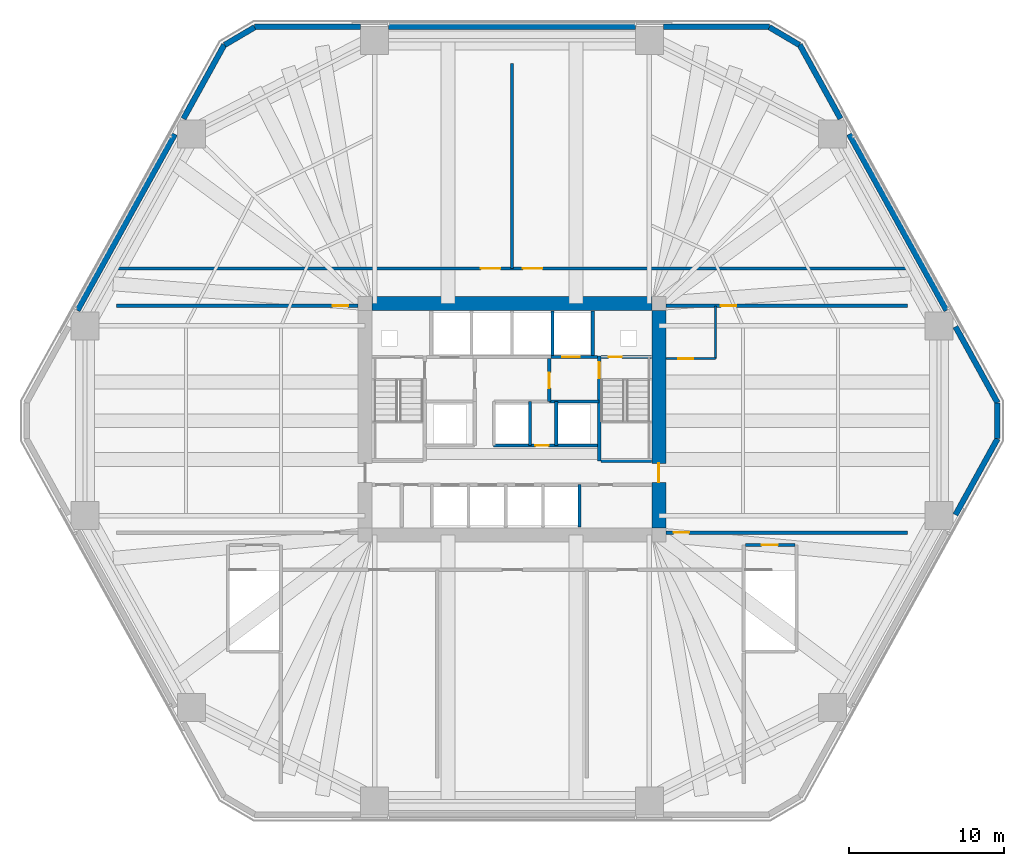
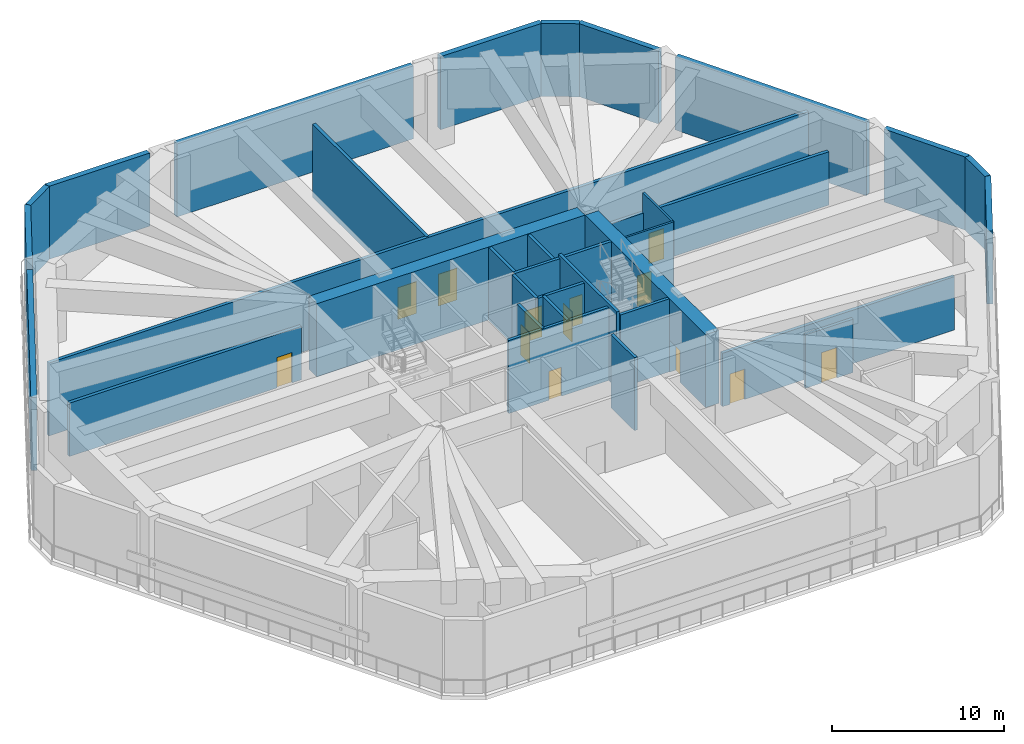
# One storey, part 4 of 12: 34 walls, 13 doors, 13 openings.
"""IFC4 building model written with IfcOpenShell, lengths in metres."""

from ifc_helpers import new_model, si_unit, direction, frame, frame_2d, origin, place, context, subcontext, project, spatial, rectangle, extrude, material, layer, layer_set, type_object, element, fill, save


model = new_model("IFC4")

# Units and contexts
model_context = context("Model", 3, precision=1e-05, world=origin(), true_north=direction((0.0, 1.0)))
body_context = subcontext(model_context, "Body", "Model", "MODEL_VIEW")
ifc_project = project(units=[si_unit("LENGTHUNIT", "METRE"), si_unit("AREAUNIT", "SQUARE_METRE"), si_unit("VOLUMEUNIT", "CUBIC_METRE"), si_unit("PLANEANGLEUNIT", "RADIAN"), si_unit("MASSUNIT", "GRAM", prefix="KILO")], contexts=[model_context])

# Site, building, storey
site_placement = place(None, origin())
site = spatial("IfcSite", under=ifc_project, at=site_placement, CompositionType="ELEMENT")
building_placement = place(site_placement, origin())
building = spatial("IfcBuilding", under=site, at=building_placement, Name="Cinnabar Lancet Tower", CompositionType="ELEMENT")
storey_placement = place(building_placement, frame((0.0, 0.0, 19.5)))
storey = spatial("IfcBuildingStorey", under=building, at=storey_placement, Name="L04", CompositionType="ELEMENT", Elevation=19.5)

# Wall, opening, door
ifc_material_1 = material(Name="Acoustic masonry plant room wall", Category="masonry")
ifc_layer_1 = layer(ifc_material_1, 0.219970703125)
ifc_layer_set_1 = layer_set([ifc_layer_1], Name="Acoustic masonry plant room wall")
wall_type_1 = type_object("IfcWallType", Name="ARC-WL-PLANT-220", PredefinedType="PARTITIONING", material=ifc_layer_set_1)
wall_1_placement = place(storey_placement, frame((6.925048828125, 33.199951171875, 0.0), z_axis=(0.0, 0.0, 1.0), x_axis=(1.0, 0.0, 0.0)))
wall_1 = element("IfcWall", 1, at=wall_1_placement, inside=storey, type_object=wall_type_1, Name="PW-L04-RFWN", PredefinedType="PARTITIONING", context=body_context, shape_type="SweptSolid", body=[
    extrude(rectangle(XDim=15.574951171875, YDim=0.219970703125, at=frame_2d((7.78759765625, 0.0))), origin(), (0.0, 0.0, 1.0), 3.7900390625),
])
opening_1_placement = place(wall_1_placement, frame((13.925048828125, 0.0, 0.0)))
opening_1 = element("IfcOpeningElement", 2, at=opening_1_placement, cuts=wall_1, Name="Opening FD-01", PredefinedType="OPENING", context=body_context, shape_type="SweptSolid", body=[
    extrude(rectangle(XDim=1.0, YDim=2.14990234375, at=frame_2d((0.5, 1.074951171875))), frame((0.0, 0.119873046875, 0.0), z_axis=(0.0, -1.0, 0.0), x_axis=(1.0, 0.0, 0.0)), (0.0, 0.0, 1.0), 0.239990234375),
])
ifc_material_2 = material(Name="Fire-rated timber-core lobby door", Category="wood")
door_type_1 = type_object("IfcDoorType", Name="ARC-DR-FFAL", OperationType="NOTDEFINED", PredefinedType="DOOR", material=ifc_material_2)
door_1_placement = place(opening_1_placement, origin())
door_1 = element("IfcDoor", 3, at=door_1_placement, inside=storey, type_object=door_type_1, Name="L04 Plant Corridor Fire Door RWN", OperationType="SINGLE_SWING_LEFT", OverallHeight=2.14990234375, OverallWidth=1.0, PredefinedType="DOOR", context=body_context, shape_type="SweptSolid", body=[
    extrude(rectangle(XDim=1.0, YDim=2.14990234375, at=frame_2d((0.5, 1.074951171875))), frame((0.0, 0.02490234375, 0.0), z_axis=(0.0, -1.0, 0.0), x_axis=(1.0, 0.0, 0.0)), (0.0, 0.0, 1.0), 0.050048828125),
])
fill(opening_1, door_1)

wall_2_placement = place(storey_placement, frame((42.300048828125, 18.60009765625, 0.0), z_axis=(0.0, 0.0, 1.0), x_axis=(1.0, 0.0, 0.0)))
wall_2 = element("IfcWall", 4, at=wall_2_placement, inside=storey, type_object=wall_type_1, Name="PW-L04-RFES", PredefinedType="PARTITIONING", context=body_context, shape_type="SweptSolid", body=[
    extrude(rectangle(XDim=15.574951171875, YDim=0.219970703125, at=frame_2d((7.78759765625, 0.0))), origin(), (0.0, 0.0, 1.0), 3.7900390625),
])
opening_2_placement = place(wall_2_placement, frame((0.5, 0.0, 0.0)))
opening_2 = element("IfcOpeningElement", 5, at=opening_2_placement, cuts=wall_2, Name="Opening FD-01", PredefinedType="OPENING", context=body_context, shape_type="SweptSolid", body=[
    extrude(rectangle(XDim=1.0, YDim=2.14990234375, at=frame_2d((0.5, 1.074951171875))), frame((0.0, 0.119873046875, 0.0), z_axis=(0.0, -1.0, 0.0), x_axis=(1.0, 0.0, 0.0)), (0.0, 0.0, 1.0), 0.239990234375),
])
door_2_placement = place(opening_2_placement, origin())
door_2 = element("IfcDoor", 6, at=door_2_placement, inside=storey, type_object=door_type_1, Name="L04 Plant Corridor Fire Door RES", OperationType="SINGLE_SWING_LEFT", OverallHeight=2.14990234375, OverallWidth=1.0, PredefinedType="DOOR", context=body_context, shape_type="SweptSolid", body=[
    extrude(rectangle(XDim=1.0, YDim=2.14990234375, at=frame_2d((0.5, 1.074951171875))), frame((0.0, 0.02490234375, 0.0), z_axis=(0.0, -1.0, 0.0), x_axis=(1.0, 0.0, 0.0)), (0.0, 0.0, 1.0), 0.050048828125),
])
fill(opening_2, door_2)

wall_3_placement = place(storey_placement, frame((42.300048828125, 33.199951171875, 0.0), z_axis=(0.0, 0.0, 1.0), x_axis=(1.0, 0.0, 0.0)))
wall_3 = element("IfcWall", 7, at=wall_3_placement, inside=storey, type_object=wall_type_1, Name="PW-L04-RFEN", PredefinedType="PARTITIONING", context=body_context, shape_type="SweptSolid", body=[
    extrude(rectangle(XDim=15.574951171875, YDim=0.219970703125, at=frame_2d((7.78759765625, 0.0))), origin(), (0.0, 0.0, 1.0), 3.7900390625),
])
opening_3_placement = place(wall_3_placement, frame((3.550048828125, 0.0, 0.0)))
opening_3 = element("IfcOpeningElement", 8, at=opening_3_placement, cuts=wall_3, Name="Opening FD-01", PredefinedType="OPENING", context=body_context, shape_type="SweptSolid", body=[
    extrude(rectangle(XDim=1.0, YDim=2.14990234375, at=frame_2d((0.5, 1.074951171875))), frame((0.0, 0.119873046875, 0.0), z_axis=(0.0, -1.0, 0.0), x_axis=(1.0, 0.0, 0.0)), (0.0, 0.0, 1.0), 0.239990234375),
])
door_3_placement = place(opening_3_placement, origin())
door_3 = element("IfcDoor", 9, at=door_3_placement, inside=storey, type_object=door_type_1, Name="L04 Plant Corridor Fire Door REN", OperationType="SINGLE_SWING_LEFT", OverallHeight=2.14990234375, OverallWidth=1.0, PredefinedType="DOOR", context=body_context, shape_type="SweptSolid", body=[
    extrude(rectangle(XDim=1.0, YDim=2.14990234375, at=frame_2d((0.5, 1.074951171875))), frame((0.0, 0.02490234375, 0.0), z_axis=(0.0, -1.0, 0.0), x_axis=(1.0, 0.0, 0.0)), (0.0, 0.0, 1.0), 0.050048828125),
])
fill(opening_3, door_3)

# Wall, openings, doors
wall_4_placement = place(storey_placement, frame((6.925048828125, 35.60009765625, 0.0), z_axis=(0.0, 0.0, 1.0), x_axis=(1.0, 0.0, 0.0)))
wall_4 = element("IfcWall", 10, at=wall_4_placement, inside=storey, type_object=wall_type_1, Name="PW-L04-NPLN", PredefinedType="PARTITIONING", context=body_context, shape_type="SweptSolid", body=[
    extrude(rectangle(XDim=50.949951171875, YDim=0.219970703125, at=frame_2d((25.47509765625, 0.0))), origin(), (0.0, 0.0, 1.0), 5.179931640625),
])
opening_4_placement = place(wall_4_placement, frame((23.47509765625, 0.0, 0.0)))
opening_4 = element("IfcOpeningElement", 11, at=opening_4_placement, cuts=wall_4, Name="Opening PD-01", PredefinedType="OPENING", context=body_context, shape_type="SweptSolid", body=[
    extrude(rectangle(XDim=1.25, YDim=2.25, at=frame_2d((0.625, 1.125))), frame((0.0, 0.119873046875, 0.0), z_axis=(0.0, -1.0, 0.0), x_axis=(1.0, 0.0, 0.0)), (0.0, 0.0, 1.0), 0.239990234375),
])
opening_5_placement = place(wall_4_placement, frame((26.175048828125, 0.0, 0.0)))
opening_5 = element("IfcOpeningElement", 12, at=opening_5_placement, cuts=wall_4, Name="Opening PD-01", PredefinedType="OPENING", context=body_context, shape_type="SweptSolid", body=[
    extrude(rectangle(XDim=1.25, YDim=2.25, at=frame_2d((0.625, 1.125))), frame((0.0, 0.119873046875, 0.0), z_axis=(0.0, -1.0, 0.0), x_axis=(1.0, 0.0, 0.0)), (0.0, 0.0, 1.0), 0.239990234375),
])
ifc_material_3 = material(Name="Louvred fire-rated steel plant room double door", Category="steel")
door_type_2 = type_object("IfcDoorType", Name="ARC-DR-PLANT", OperationType="NOTDEFINED", PredefinedType="DOOR", material=ifc_material_3)
door_4_placement = place(opening_4_placement, origin())
door_4 = element("IfcDoor", 13, at=door_4_placement, inside=storey, type_object=door_type_2, Name="DR-L04-NPL1", OperationType="SINGLE_SWING_RIGHT", OverallHeight=2.25, OverallWidth=1.25, PredefinedType="DOOR", context=body_context, shape_type="SweptSolid", body=[
    extrude(rectangle(XDim=1.25, YDim=2.25, at=frame_2d((0.625, 1.125))), frame((0.0, 0.02490234375, 0.0), z_axis=(0.0, -1.0, 0.0), x_axis=(1.0, 0.0, 0.0)), (0.0, 0.0, 1.0), 0.050048828125),
])
fill(opening_4, door_4)
door_5_placement = place(opening_5_placement, origin())
door_5 = element("IfcDoor", 14, at=door_5_placement, inside=storey, type_object=door_type_2, Name="DR-L04-NPL2", OperationType="SINGLE_SWING_RIGHT", OverallHeight=2.25, OverallWidth=1.25, PredefinedType="DOOR", context=body_context, shape_type="SweptSolid", body=[
    extrude(rectangle(XDim=1.25, YDim=2.25, at=frame_2d((0.625, 1.125))), frame((0.0, 0.02490234375, 0.0), z_axis=(0.0, -1.0, 0.0), x_axis=(1.0, 0.0, 0.0)), (0.0, 0.0, 1.0), 0.050048828125),
])
fill(opening_5, door_5)

# Walls
wall_5_placement = place(storey_placement, frame((32.39990234375, 35.60009765625, 0.0), z_axis=(0.0, 0.0, 1.0), x_axis=(0.0, 1.0, 0.0)))
element("IfcWall", 15, at=wall_5_placement, inside=storey, type_object=wall_type_1, Name="PW-L04-NDIV", PredefinedType="PARTITIONING", context=body_context, shape_type="SweptSolid", body=[
    extrude(rectangle(XDim=13.199951171875, YDim=0.219970703125, at=frame_2d((6.60009765625, 0.0))), origin(), (0.0, 0.0, 1.0), 5.179931640625),
])
ifc_material_4 = material(Name="Autoclaved aerated concrete blockwork", Category="masonry")
ifc_layer_2 = layer(ifc_material_4, 0.199951171875)
ifc_layer_set_2 = layer_set([ifc_layer_2], Name="Autoclaved aerated concrete blockwork")
wall_type_2 = type_object("IfcWallType", Name="ARC-WL-SHAFT-200", PredefinedType="PLUMBINGWALL", material=ifc_layer_set_2)
wall_6_placement = place(storey_placement, frame((38.125, 23.199951171875, 0.0), z_axis=(0.0, 0.0, 1.0), x_axis=(1.0, 0.0, 0.0)))
element("IfcWall", 16, at=wall_6_placement, inside=storey, type_object=wall_type_2, Name="CW-ST2S-L04", PredefinedType="PLUMBINGWALL", context=body_context, shape_type="SweptSolid", body=[
    extrude(rectangle(XDim=3.27001953125, YDim=0.199951171875, at=frame_2d((1.635009765625, 0.0))), origin(), (0.0, 0.0, 1.0), 5.179931640625),
])

# Wall, opening, door
wall_7_placement = place(storey_placement, frame((34.89990234375, 29.89990234375, 0.0), z_axis=(0.0, 0.0, 1.0), x_axis=(1.0, 0.0, 0.0)))
wall_7 = element("IfcWall", 17, at=wall_7_placement, inside=storey, type_object=wall_type_2, Name="CW-FL2-L04", PredefinedType="PLUMBINGWALL", context=body_context, shape_type="SweptSolid", body=[
    extrude(rectangle(XDim=3.01513671875, YDim=0.199951171875, at=frame_2d((1.507568359375, 0.0))), origin(), (0.0, 0.0, 1.0), 5.179931640625),
])
opening_6_placement = place(wall_7_placement, frame((0.72509765625, 0.0, 0.0)))
opening_6 = element("IfcOpeningElement", 18, at=opening_6_placement, cuts=wall_7, Name="Opening LD-02", PredefinedType="OPENING", context=body_context, shape_type="SweptSolid", body=[
    extrude(rectangle(XDim=1.14990234375, YDim=2.199951171875, at=frame_2d((0.574951171875, 1.10009765625))), frame((0.0, 0.10986328125, 0.0), z_axis=(0.0, -1.0, 0.0), x_axis=(1.0, 0.0, 0.0)), (0.0, 0.0, 1.0), 0.219970703125),
])
ifc_material_5 = material(Name="Fire-rated stainless steel firefighting lift landing door", Category="steel")
door_type_3 = type_object("IfcDoorType", Name="ARC-DR-LD-FIRE", OperationType="NOTDEFINED", PredefinedType="DOOR", material=ifc_material_5)
door_6_placement = place(opening_6_placement, origin())
door_6 = element("IfcDoor", 19, at=door_6_placement, inside=storey, type_object=door_type_3, Name="L04 Firefighting Lift FL-2 Landing Door", OperationType="DOUBLE_DOOR_SLIDING", OverallHeight=2.199951171875, OverallWidth=1.14990234375, PredefinedType="DOOR", context=body_context, shape_type="SweptSolid", body=[
    extrude(rectangle(XDim=1.14990234375, YDim=2.199951171875, at=frame_2d((0.574951171875, 1.10009765625))), frame((0.0, 0.02490234375, 0.0), z_axis=(0.0, -1.0, 0.0), x_axis=(1.0, 0.0, 0.0)), (0.0, 0.0, 1.0), 0.050048828125),
])
fill(opening_6, door_6)

wall_8_placement = place(storey_placement, frame((38.125, 29.89990234375, 0.0), z_axis=(0.0, 0.0, 1.0), x_axis=(1.0, 0.0, 0.0)))
wall_8 = element("IfcWall", 20, at=wall_8_placement, inside=storey, type_object=wall_type_2, Name="CW-NSH-E-L04", PredefinedType="PLUMBINGWALL", context=body_context, shape_type="SweptSolid", body=[
    extrude(rectangle(XDim=3.27001953125, YDim=0.199951171875, at=frame_2d((1.635009765625, 0.0))), origin(), (0.0, 0.0, 1.0), 5.179931640625),
])
opening_7_placement = place(wall_8_placement, frame((0.5, 0.0, 0.0)))
opening_7 = element("IfcOpeningElement", 21, at=opening_7_placement, cuts=wall_8, Name="Opening PD-02", PredefinedType="OPENING", context=body_context, shape_type="SweptSolid", body=[
    extrude(rectangle(XDim=0.85009765625, YDim=2.050048828125, at=frame_2d((0.425048828125, 1.02490234375))), frame((0.0, 0.10986328125, 0.0), z_axis=(0.0, -1.0, 0.0), x_axis=(1.0, 0.0, 0.0)), (0.0, 0.0, 1.0), 0.219970703125),
])
ifc_material_6 = material(Name="Fire-rated steel riser access door", Category="steel")
door_type_4 = type_object("IfcDoorType", Name="ARC-DR-RISER", OperationType="NOTDEFINED", PredefinedType="DOOR", material=ifc_material_6)
door_7_placement = place(opening_7_placement, origin())
door_7 = element("IfcDoor", 22, at=door_7_placement, inside=storey, type_object=door_type_4, Name="L04 East Riser Access Door", OperationType="SINGLE_SWING_RIGHT", OverallHeight=2.050048828125, OverallWidth=0.85009765625, PredefinedType="DOOR", context=body_context, shape_type="SweptSolid", body=[
    extrude(rectangle(XDim=0.85009765625, YDim=2.050048828125, at=frame_2d((0.425048828125, 1.02490234375))), frame((0.0, 0.02490234375, 0.0), z_axis=(0.0, -1.0, 0.0), x_axis=(1.0, 0.0, 0.0)), (0.0, 0.0, 1.0), 0.050048828125),
])
fill(opening_7, door_7)

# Walls
for number, where, z_axis, x_axis, name in (
    (23, (35.0, 30.0, 0.0), (0.0, 0.0, 1.0), (0.0, 1.0, 0.0), "CW-NSH-D4-L04"),
    (24, (37.60009765625, 30.0, 0.0), (0.0, 0.0, 1.0), (0.0, 1.0, 0.0), "CW-NSH-D5-L04"),
):
    element("IfcWall", number, at=place(storey_placement, frame(where, z_axis=z_axis, x_axis=x_axis)), inside=storey, type_object=wall_type_2, Name=name, PredefinedType="PLUMBINGWALL", context=body_context, shape_type="SweptSolid", body=[
        extrude(rectangle(XDim=2.85009765625, YDim=0.199951171875, at=frame_2d((1.425048828125, 0.0))), origin(), (0.0, 0.0, 1.0), 5.179931640625),
    ])

# Wall, opening, door
wall_9_placement = place(storey_placement, frame((34.800048828125, 27.050048828125, 0.0), z_axis=(0.0, 0.0, 1.0), x_axis=(0.0, 1.0, 0.0)))
wall_9 = element("IfcWall", 25, at=wall_9_placement, inside=storey, type_object=wall_type_2, Name="CW-FF2W-L04", PredefinedType="PLUMBINGWALL", context=body_context, shape_type="SweptSolid", body=[
    extrude(rectangle(XDim=2.75, YDim=0.199951171875, at=frame_2d((1.375, 0.0))), origin(), (0.0, 0.0, 1.0), 5.179931640625),
])
opening_8_placement = place(wall_9_placement, frame((0.85009765625, 0.0, 0.0)))
opening_8 = element("IfcOpeningElement", 26, at=opening_8_placement, cuts=wall_9, Name="Opening FD-01", PredefinedType="OPENING", context=body_context, shape_type="SweptSolid", body=[
    extrude(rectangle(XDim=1.0, YDim=2.14990234375, at=frame_2d((0.5, 1.074951171875))), frame((0.0, 0.10986328125, 0.0), z_axis=(0.0, -1.0, 0.0), x_axis=(1.0, 0.0, 0.0)), (0.0, 0.0, 1.0), 0.219970703125),
])
door_8_placement = place(opening_8_placement, origin())
door_8 = element("IfcDoor", 27, at=door_8_placement, inside=storey, type_object=door_type_1, Name="L04 FFAL-2 Lobby Fire Door", OperationType="SINGLE_SWING_LEFT", OverallHeight=2.14990234375, OverallWidth=1.0, PredefinedType="DOOR", context=body_context, shape_type="SweptSolid", body=[
    extrude(rectangle(XDim=1.0, YDim=2.14990234375, at=frame_2d((0.5, 1.074951171875))), frame((0.0, 0.02490234375, 0.0), z_axis=(0.0, -1.0, 0.0), x_axis=(1.0, 0.0, 0.0)), (0.0, 0.0, 1.0), 0.050048828125),
])
fill(opening_8, door_8)

# Wall
wall_10_placement = place(storey_placement, frame((34.800048828125, 27.050048828125, 0.0), z_axis=(0.0, 0.0, 1.0), x_axis=(1.0, 0.0, 0.0)))
element("IfcWall", 28, at=wall_10_placement, inside=storey, type_object=wall_type_2, Name="CW-FF2S-L04", PredefinedType="PLUMBINGWALL", context=body_context, shape_type="SweptSolid", body=[
    extrude(rectangle(XDim=3.199951171875, YDim=0.199951171875, at=frame_2d((1.60009765625, 0.0))), origin(), (0.0, 0.0, 1.0), 5.179931640625),
])

# Wall, opening, door
wall_11_placement = place(storey_placement, frame((31.199951171875, 24.199951171875, 0.0), z_axis=(0.0, 0.0, 1.0), x_axis=(1.0, 0.0, 0.0)))
wall_11 = element("IfcWall", 29, at=wall_11_placement, inside=storey, type_object=wall_type_2, Name="CW-PL96S-L04", PredefinedType="PLUMBINGWALL", context=body_context, shape_type="SweptSolid", body=[
    extrude(rectangle(XDim=6.800048828125, YDim=0.199951171875, at=frame_2d((3.39990234375, 0.0))), origin(), (0.0, 0.0, 1.0), 5.179931640625),
])
opening_9_placement = place(wall_11_placement, frame((2.699951171875, 0.0, 0.0)))
opening_9 = element("IfcOpeningElement", 30, at=opening_9_placement, cuts=wall_11, Name="Opening PD-02", PredefinedType="OPENING", context=body_context, shape_type="SweptSolid", body=[
    extrude(rectangle(XDim=0.85009765625, YDim=2.050048828125, at=frame_2d((0.425048828125, 1.02490234375))), frame((0.0, 0.10986328125, 0.0), z_axis=(0.0, -1.0, 0.0), x_axis=(1.0, 0.0, 0.0)), (0.0, 0.0, 1.0), 0.219970703125),
])
door_9_placement = place(opening_9_placement, origin())
door_9 = element("IfcDoor", 31, at=door_9_placement, inside=storey, type_object=door_type_4, Name="L04 BMS Closet Door", OperationType="SINGLE_SWING_LEFT", OverallHeight=2.050048828125, OverallWidth=0.85009765625, PredefinedType="DOOR", context=body_context, shape_type="SweptSolid", body=[
    extrude(rectangle(XDim=0.85009765625, YDim=2.050048828125, at=frame_2d((0.425048828125, 1.02490234375))), frame((0.0, 0.02490234375, 0.0), z_axis=(0.0, -1.0, 0.0), x_axis=(1.0, 0.0, 0.0)), (0.0, 0.0, 1.0), 0.050048828125),
])
fill(opening_9, door_9)

# Walls
for number, where, z_axis, x_axis, name in (
    (32, (33.550048828125, 24.199951171875, 0.0), (0.0, 0.0, 1.0), (0.0, 1.0, 0.0), "CW-PL9E-L04"),
    (33, (35.25, 24.199951171875, 0.0), (0.0, 0.0, 1.0), (0.0, 1.0, 0.0), "CW-PL6W-L04"),
):
    element("IfcWall", number, at=place(storey_placement, frame(where, z_axis=z_axis, x_axis=x_axis)), inside=storey, type_object=wall_type_2, Name=name, PredefinedType="PLUMBINGWALL", context=body_context, shape_type="SweptSolid", body=[
        extrude(rectangle(XDim=2.85009765625, YDim=0.199951171875, at=frame_2d((1.425048828125, 0.0))), origin(), (0.0, 0.0, 1.0), 5.179931640625),
    ])
wall_12_placement = place(storey_placement, frame((36.75, 18.949951171875, 0.0), z_axis=(0.0, 0.0, 1.0), x_axis=(0.0, 1.0, 0.0)))
element("IfcWall", 34, at=wall_12_placement, inside=storey, type_object=wall_type_2, Name="CW-SB-3675-L04", PredefinedType="PLUMBINGWALL", context=body_context, shape_type="SweptSolid", body=[
    extrude(rectangle(XDim=2.72998046875, YDim=0.199951171875, at=frame_2d((1.364990234375, 0.0))), origin(), (0.0, 0.0, 1.0), 5.179931640625),
])

# Wall, opening, door
wall_13_placement = place(storey_placement, frame((47.425048828125, 17.800048828125, 0.0), z_axis=(0.0, 0.0, 1.0), x_axis=(1.0, 0.0, 0.0)))
wall_13 = element("IfcWall", 35, at=wall_13_placement, inside=storey, type_object=wall_type_2, Name="PW-ST4N-L04", PredefinedType="PLUMBINGWALL", context=body_context, shape_type="SweptSolid", body=[
    extrude(rectangle(XDim=3.18994140625, YDim=0.199951171875, at=frame_2d((1.594970703125, 0.0))), origin(), (0.0, 0.0, 1.0), 3.7900390625),
])
opening_10_placement = place(wall_13_placement, frame((1.050048828125, 0.0, 0.0)))
opening_10 = element("IfcOpeningElement", 36, at=opening_10_placement, cuts=wall_13, Name="Opening SD-01", PredefinedType="OPENING", context=body_context, shape_type="SweptSolid", body=[
    extrude(rectangle(XDim=1.050048828125, YDim=2.14990234375, at=frame_2d((0.52490234375, 1.074951171875))), frame((0.0, 0.10986328125, 0.0), z_axis=(0.0, -1.0, 0.0), x_axis=(1.0, 0.0, 0.0)), (0.0, 0.0, 1.0), 0.219970703125),
])
ifc_material_7 = material(Name="Fire-rated steel stair exit door", Category="steel")
door_type_5 = type_object("IfcDoorType", Name="ARC-DR-STAIR", OperationType="NOTDEFINED", PredefinedType="DOOR", material=ifc_material_7)
door_10_placement = place(opening_10_placement, origin())
door_10 = element("IfcDoor", 37, at=door_10_placement, inside=storey, type_object=door_type_5, Name="L04 Podium Stair ST-4 Fire Door", OperationType="SINGLE_SWING_RIGHT", OverallHeight=2.14990234375, OverallWidth=1.050048828125, PredefinedType="DOOR", context=body_context, shape_type="SweptSolid", body=[
    extrude(rectangle(XDim=1.050048828125, YDim=2.14990234375, at=frame_2d((0.52490234375, 1.074951171875))), frame((0.0, 0.02490234375, 0.0), z_axis=(0.0, -1.0, 0.0), x_axis=(1.0, 0.0, 0.0)), (0.0, 0.0, 1.0), 0.050048828125),
])
fill(opening_10, door_10)

ifc_material_8 = material(Name="Moisture-resistant cement-board plumbing wall", Category="masonry")
ifc_layer_3 = layer(ifc_material_8, 0.139892578125)
ifc_layer_set_3 = layer_set([ifc_layer_3], Name="Moisture-resistant cement-board plumbing wall")
wall_type_3 = type_object("IfcWallType", Name="ARC-WL-WET-140", PredefinedType="PLUMBINGWALL", material=ifc_layer_set_3)
wall_14_placement = place(storey_placement, frame((42.300048828125, 29.800048828125, 0.0), z_axis=(0.0, 0.0, 1.0), x_axis=(1.0, 0.0, 0.0)))
wall_14 = element("IfcWall", 38, at=wall_14_placement, inside=storey, type_object=wall_type_3, Name="PW-L04-RFWCS", PredefinedType="PLUMBINGWALL", context=body_context, shape_type="SweptSolid", body=[
    extrude(rectangle(XDim=3.199951171875, YDim=0.139892578125, at=frame_2d((1.60009765625, 0.0))), origin(), (0.0, 0.0, 1.0), 5.179931640625),
])
opening_11_placement = place(wall_14_placement, frame((0.800048828125, 0.0, 0.0)))
opening_11 = element("IfcOpeningElement", 39, at=opening_11_placement, cuts=wall_14, Name="Opening BD-02", PredefinedType="OPENING", context=body_context, shape_type="SweptSolid", body=[
    extrude(rectangle(XDim=0.9599609375, YDim=2.14990234375, at=frame_2d((0.47998046875, 1.074951171875))), frame((0.0, 0.079833984375, 0.0), z_axis=(0.0, -1.0, 0.0), x_axis=(1.0, 0.0, 0.0)), (0.0, 0.0, 1.0), 0.159912109375),
])
ifc_material_9 = material(Name="Accessible wide-leaf washroom door", Category="wood")
door_type_6 = type_object("IfcDoorType", Name="ARC-DR-ACCWC", OperationType="NOTDEFINED", PredefinedType="DOOR", material=ifc_material_9)
door_11_placement = place(opening_11_placement, origin())
door_11 = element("IfcDoor", 40, at=door_11_placement, inside=storey, type_object=door_type_6, Name="DR-L04-RFWC", OperationType="SINGLE_SWING_LEFT", OverallHeight=2.14990234375, OverallWidth=0.9599609375, PredefinedType="DOOR", context=body_context, shape_type="SweptSolid", body=[
    extrude(rectangle(XDim=0.9599609375, YDim=2.14990234375, at=frame_2d((0.47998046875, 1.074951171875))), frame((0.0, 0.02490234375, 0.0), z_axis=(0.0, -1.0, 0.0), x_axis=(1.0, 0.0, 0.0)), (0.0, 0.0, 1.0), 0.050048828125),
])
fill(opening_11, door_11)

# Walls
wall_15_placement = place(storey_placement, frame((45.5, 29.800048828125, 0.0), z_axis=(0.0, 0.0, 1.0), x_axis=(0.0, 1.0, 0.0)))
element("IfcWall", 41, at=wall_15_placement, inside=storey, type_object=wall_type_3, Name="PW-L04-RFWCE", PredefinedType="PLUMBINGWALL", context=body_context, shape_type="SweptSolid", body=[
    extrude(rectangle(XDim=3.39990234375, YDim=0.139892578125, at=frame_2d((1.699951171875, 0.0))), origin(), (0.0, 0.0, 1.0), 5.179931640625),
])
ifc_material_10 = material(Name="Dark charcoal engineering brick", Category="masonry")
ifc_layer_4 = layer(ifc_material_10, 0.360107421875)
ifc_layer_set_4 = layer_set([ifc_layer_4], Name="Dark charcoal engineering brick")
wall_type_4 = type_object("IfcWallType", Name="ENV-WL-BRK-CHR-360", PredefinedType="STANDARD", material=ifc_layer_set_4)
wall_16_placement = place(storey_placement, frame((63.635009765625, 24.65087890625, 0.0), z_axis=(0.0, 0.0, 1.0), x_axis=(0.0, 1.0, 0.0)))
element("IfcWall", 42, at=wall_16_placement, inside=storey, type_object=wall_type_4, Name="L04 Chamfered Corner Brick Pier 3.1", PredefinedType="STANDARD", context=body_context, shape_type="SweptSolid", body=[
    extrude(rectangle(XDim=2.298095703125, YDim=0.360107421875, at=frame_2d((1.14892578125, 0.0))), origin(), (0.0, 0.0, 1.0), 5.179931640625),
])
for number, where, z_axis, x_axis, name in (
    (43, (50.89794921875, 49.9951171875, 0.0), (0.0, 0.0, 1.0), (-0.861219188779, 0.50823371482, 0.0), "L04 Chamfered Corner Brick Pier 4.1"),
    (44, (15.83203125, 51.134033203125, 0.0), (0.0, 0.0, 1.0), (-0.861219188779, -0.50823371482, 0.0), "L04 Chamfered Corner Brick Pier 5.1"),
):
    element("IfcWall", number, at=place(storey_placement, frame(where, z_axis=z_axis, x_axis=x_axis)), inside=storey, type_object=wall_type_4, Name=name, PredefinedType="STANDARD", context=body_context, shape_type="SweptSolid", body=[
        extrude(rectangle(XDim=2.240966796875, YDim=0.360107421875, at=frame_2d((1.12060546875, 0.0))), origin(), (0.0, 0.0, 1.0), 5.179931640625),
    ])
wall_17_placement = place(storey_placement, frame((60.951904296875, 19.743896484375, 0.0), z_axis=(0.0, 0.0, 1.0), x_axis=(0.483630715354, 0.875272146916, 0.0)))
element("IfcWall", 45, at=wall_17_placement, inside=storey, type_object=wall_type_4, Name="L04 Face 2 Masonry Bay Wall 3", PredefinedType="STANDARD", context=body_context, shape_type="SweptSolid", body=[
    extrude(rectangle(XDim=5.597412109375, YDim=0.360107421875, at=frame_2d((2.798828125, 0.0))), origin(), (0.0, 0.0, 1.0), 5.179931640625),
])
wall_18_placement = place(storey_placement, frame((63.658935546875, 26.95703125, 0.0), z_axis=(0.0, 0.0, 1.0), x_axis=(-0.483649179604, 0.875261944259, 0.0)))
element("IfcWall", 46, at=wall_18_placement, inside=storey, type_object=wall_type_4, Name="L04 Face 3 Masonry Bay Wall 1", PredefinedType="STANDARD", context=body_context, shape_type="SweptSolid", body=[
    extrude(rectangle(XDim=5.59716796875, YDim=0.360107421875, at=frame_2d((2.798583984375, 0.0))), origin(), (0.0, 0.0, 1.0), 5.179931640625),
])
wall_19_placement = place(storey_placement, frame((60.375, 32.89892578125, 0.0), z_axis=(0.0, 0.0, 1.0), x_axis=(-0.483633730108, 0.87527048111, 0.0)))
element("IfcWall", 47, at=wall_19_placement, inside=storey, type_object=wall_type_4, Name="L04 Face 3 Masonry Bay Wall 2", PredefinedType="STANDARD", context=body_context, shape_type="SweptSolid", body=[
    extrude(rectangle(XDim=12.96630859375, YDim=0.360107421875, at=frame_2d((6.483154296875, 0.0))), origin(), (0.0, 0.0, 1.0), 5.179931640625),
])
wall_20_placement = place(storey_placement, frame((53.551025390625, 45.2470703125, 0.0), z_axis=(0.0, 0.0, 1.0), x_axis=(-0.483661702077, 0.875255024518, 0.0)))
element("IfcWall", 48, at=wall_20_placement, inside=storey, type_object=wall_type_4, Name="L04 Face 3 Masonry Bay Wall 3", PredefinedType="STANDARD", context=body_context, shape_type="SweptSolid", body=[
    extrude(rectangle(XDim=5.444091796875, YDim=0.360107421875, at=frame_2d((2.72216796875, 0.0))), origin(), (0.0, 0.0, 1.0), 5.179931640625),
])
wall_21_placement = place(storey_placement, frame((48.972900390625, 51.159912109375, 0.0), z_axis=(0.0, 0.0, 1.0), x_axis=(-1.0, 0.0, 0.0)))
element("IfcWall", 49, at=wall_21_placement, inside=storey, type_object=wall_type_4, Name="L04 Face 4 Masonry Bay Wall 1", PredefinedType="STANDARD", context=body_context, shape_type="SweptSolid", body=[
    extrude(rectangle(XDim=6.823974609375, YDim=0.360107421875, at=frame_2d((3.412109375, 0.0))), origin(), (0.0, 0.0, 1.0), 5.179931640625),
])
wall_22_placement = place(storey_placement, frame((40.341064453125, 51.159912109375, 0.0), z_axis=(0.0, 0.0, 1.0), x_axis=(-1.0, 0.0, 0.0)))
element("IfcWall", 50, at=wall_22_placement, inside=storey, type_object=wall_type_4, Name="L04 Face 4 Masonry Bay Wall 2", PredefinedType="STANDARD", context=body_context, shape_type="SweptSolid", body=[
    extrude(rectangle(XDim=15.882080078125, YDim=0.360107421875, at=frame_2d((7.94091796875, 0.0))), origin(), (0.0, 0.0, 1.0), 5.179931640625),
])
wall_23_placement = place(storey_placement, frame((22.65087890625, 51.159912109375, 0.0), z_axis=(0.0, 0.0, 1.0), x_axis=(-1.0, 0.0, 0.0)))
element("IfcWall", 51, at=wall_23_placement, inside=storey, type_object=wall_type_4, Name="L04 Face 4 Masonry Bay Wall 3", PredefinedType="STANDARD", context=body_context, shape_type="SweptSolid", body=[
    extrude(rectangle(XDim=6.823974609375, YDim=0.360107421875, at=frame_2d((3.412109375, 0.0))), origin(), (0.0, 0.0, 1.0), 5.179931640625),
])
wall_24_placement = place(storey_placement, frame((13.882080078125, 50.011962890625, 0.0), z_axis=(0.0, 0.0, 1.0), x_axis=(-0.483661702077, -0.875255024518, 0.0)))
element("IfcWall", 52, at=wall_24_placement, inside=storey, type_object=wall_type_4, Name="L04 Face 5 Masonry Bay Wall 1", PredefinedType="STANDARD", context=body_context, shape_type="SweptSolid", body=[
    extrude(rectangle(XDim=5.444091796875, YDim=0.360107421875, at=frame_2d((2.72216796875, 0.0))), origin(), (0.0, 0.0, 1.0), 5.179931640625),
])
wall_25_placement = place(storey_placement, frame((10.696044921875, 44.248046875, 0.0), z_axis=(0.0, 0.0, 1.0), x_axis=(-0.483633730108, -0.87527048111, 0.0)))
element("IfcWall", 53, at=wall_25_placement, inside=storey, type_object=wall_type_4, Name="L04 Face 5 Masonry Bay Wall 2", PredefinedType="STANDARD", context=body_context, shape_type="SweptSolid", body=[
    extrude(rectangle(XDim=12.96630859375, YDim=0.360107421875, at=frame_2d((6.483154296875, 0.0))), origin(), (0.0, 0.0, 1.0), 5.179931640625),
])
ifc_material_11 = material(Name="Concrete C80/95", Category="concrete")
ifc_layer_5 = layer(ifc_material_11, 0.89990234375)
ifc_layer_set_5 = layer_set([ifc_layer_5], Name="Concrete C80/95")
wall_type_5 = type_object("IfcWallType", Name="STR-WL-CORE-900", PredefinedType="SHEAR", material=ifc_layer_set_5)
wall_26_placement = place(storey_placement, frame((23.39990234375, 33.35009765625, 0.0), z_axis=(0.0, 0.0, 1.0), x_axis=(1.0, 0.0, 0.0)))
element("IfcWall", 54, at=wall_26_placement, inside=storey, type_object=wall_type_5, Name="L04 Core Shear Wall N", PredefinedType="SHEAR", context=body_context, shape_type="SweptSolid", body=[
    extrude(rectangle(XDim=18.0, YDim=0.89990234375, at=frame_2d((9.0, 0.0))), origin(), (0.0, 0.0, 1.0), 5.179931640625),
])

# Wall, opening, door
wall_27_placement = place(storey_placement, frame((41.85009765625, 18.89990234375, 0.0), z_axis=(0.0, 0.0, 1.0), x_axis=(0.0, 1.0, 0.0)))
wall_27 = element("IfcWall", 55, at=wall_27_placement, inside=storey, type_object=wall_type_5, Name="L04 Core Shear Wall E", PredefinedType="SHEAR", context=body_context, shape_type="SweptSolid", body=[
    extrude(rectangle(XDim=14.0, YDim=0.89990234375, at=frame_2d((7.0, 0.0))), origin(), (0.0, 0.0, 1.0), 5.179931640625),
])
opening_12_placement = place(wall_27_placement, frame((2.93994140625, 0.0, 0.0)))
opening_12 = element("IfcOpeningElement", 56, at=opening_12_placement, cuts=wall_27, Name="Opening FD-02", PredefinedType="OPENING", context=body_context, shape_type="SweptSolid", body=[
    extrude(rectangle(XDim=1.219970703125, YDim=2.25, at=frame_2d((0.60986328125, 1.125))), frame((0.0, 0.4599609375, 0.0), z_axis=(0.0, -1.0, 0.0), x_axis=(1.0, 0.0, 0.0)), (0.0, 0.0, 1.0), 0.919921875),
])
ifc_material_12 = material(Name="Fire-rated double-vision core portal door", Category="wood")
door_type_7 = type_object("IfcDoorType", Name="ARC-DR-CPORT", OperationType="NOTDEFINED", PredefinedType="DOOR", material=ifc_material_12)
door_12_placement = place(opening_12_placement, origin())
door_12 = element("IfcDoor", 57, at=door_12_placement, inside=storey, type_object=door_type_7, Name="L04 East Core Lobby Fire Door", OperationType="SINGLE_SWING_LEFT", OverallHeight=2.25, OverallWidth=1.219970703125, PredefinedType="DOOR", context=body_context, shape_type="SweptSolid", body=[
    extrude(rectangle(XDim=1.219970703125, YDim=2.25, at=frame_2d((0.60986328125, 1.125))), frame((0.0, 0.02490234375, 0.0), z_axis=(0.0, -1.0, 0.0), x_axis=(1.0, 0.0, 0.0)), (0.0, 0.0, 1.0), 0.050048828125),
])
fill(opening_12, door_12)

ifc_material_13 = material(Name="Concrete C50/60", Category="concrete")
ifc_layer_6 = layer(ifc_material_13, 0.199951171875)
ifc_layer_set_6 = layer_set([ifc_layer_6], Name="Concrete C50/60")
wall_type_6 = type_object("IfcWallType", Name="STR-WL-STAIR-200", PredefinedType="SHEAR", material=ifc_layer_set_6)
wall_28_placement = place(storey_placement, frame((38.02001953125, 23.199951171875, 0.0), z_axis=(0.0, 0.0, 1.0), x_axis=(0.0, 1.0, 0.0)))
wall_28 = element("IfcWall", 58, at=wall_28_placement, inside=storey, type_object=wall_type_6, Name="L04 Stair ST-2 Structural Enclosure Wall", PredefinedType="SHEAR", context=body_context, shape_type="SweptSolid", body=[
    extrude(rectangle(XDim=6.780029296875, YDim=0.199951171875, at=frame_2d((3.39013671875, 0.0))), origin(), (0.0, 0.0, 1.0), 5.39990234375),
])
opening_13_placement = place(wall_28_placement, frame((5.320068359375, 0.0, 0.0)))
opening_13 = element("IfcOpeningElement", 59, at=opening_13_placement, cuts=wall_28, Name="Opening SD-01", PredefinedType="OPENING", context=body_context, shape_type="SweptSolid", body=[
    extrude(rectangle(XDim=1.050048828125, YDim=2.14990234375, at=frame_2d((0.52490234375, 1.074951171875))), frame((0.0, 0.10986328125, 0.0), z_axis=(0.0, -1.0, 0.0), x_axis=(1.0, 0.0, 0.0)), (0.0, 0.0, 1.0), 0.219970703125),
])
door_13_placement = place(opening_13_placement, origin())
door_13 = element("IfcDoor", 60, at=door_13_placement, inside=storey, type_object=door_type_5, Name="L04 Stair ST-2 Fire Door", OperationType="SINGLE_SWING_RIGHT", OverallHeight=2.14990234375, OverallWidth=1.050048828125, PredefinedType="DOOR", context=body_context, shape_type="SweptSolid", body=[
    extrude(rectangle(XDim=1.050048828125, YDim=2.14990234375, at=frame_2d((0.52490234375, 1.074951171875))), frame((0.0, 0.02490234375, 0.0), z_axis=(0.0, -1.0, 0.0), x_axis=(1.0, 0.0, 0.0)), (0.0, 0.0, 1.0), 0.050048828125),
])
fill(opening_13, door_13)

save(model, "model.ifc")
